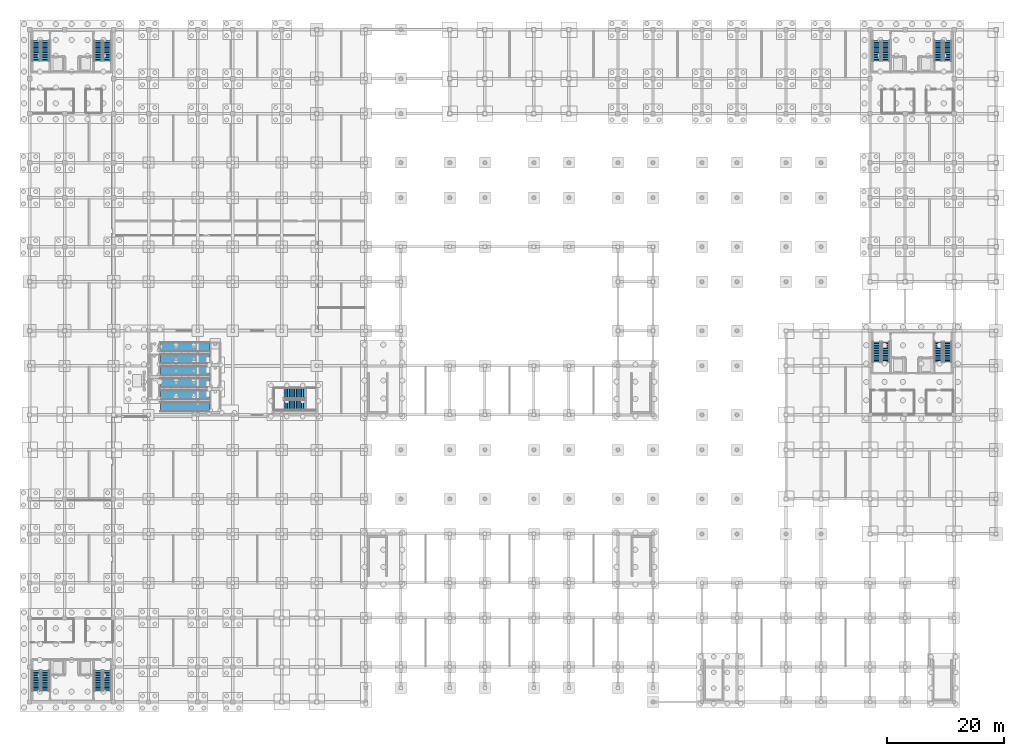
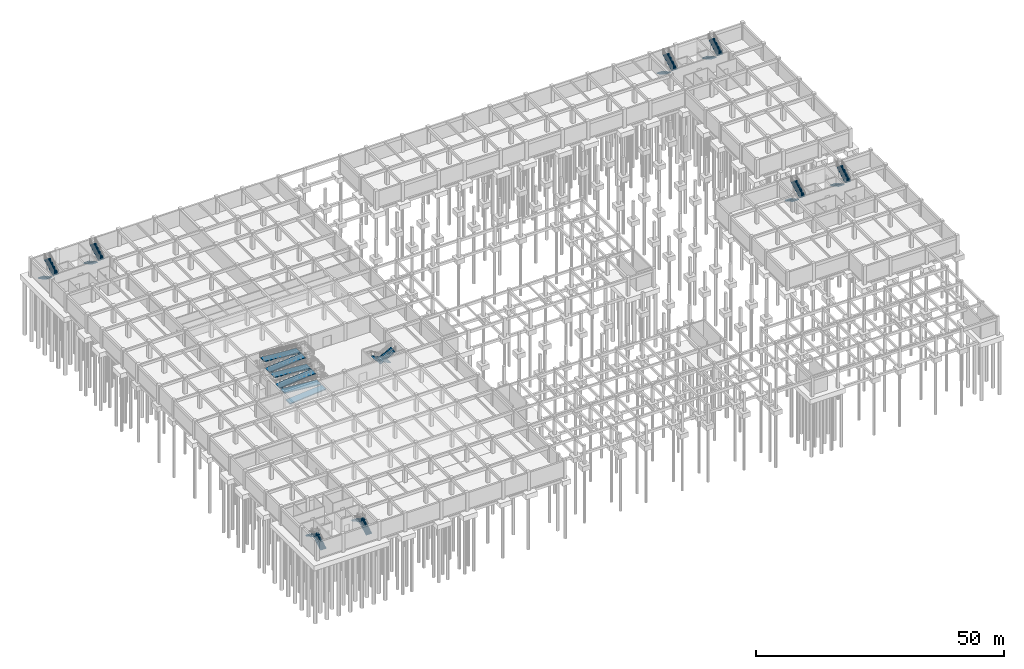
# One storey, part 32 of 40: 18 stair flights, 6 ramp flights, 10 elements without a shape of their own.
"""IFC4 building model written with IfcOpenShell, lengths in metres."""

import ifcopenshell
import ifcopenshell.guid

model = None  # the IFC model being written
_history = None  # IfcOwnerHistory: only IFC2X3 demands one
_inside = {}  # id of a spatial element -> (the spatial element, [elements in it])
_under = {}  # id of a project, library or spatial element -> (it, [spatial elements below it])
_declared = {}  # id of a project -> (the project, [libraries it declares])
_typed = {}  # id of a type object -> (the type object, [elements of that type])
_made_of = {}  # id of a material, layer set ... -> (it, [elements and type objects made of it])


def new_model(schema):
    """Start an empty IFC model of exactly this schema.

    Asked for "IFC4X3", IfcOpenShell would pick the latest addendum, in which some entities
    have other attributes; the version numbers below select the first issue.
    IFC2X3 requires an IfcOwnerHistory on every rooted entity: one is made here for all.
    """
    global model, _history
    if schema == "IFC4X3":
        model = ifcopenshell.file(schema_version=(4, 3, 0, 0))
    else:
        model = ifcopenshell.file(schema=schema)
    _inside.clear()
    _under.clear()
    _declared.clear()
    _typed.clear()
    _made_of.clear()
    _history = None
    if model.schema == "IFC2X3":
        org = make("IfcOrganization", Name="unknown")
        user = make(
            "IfcPersonAndOrganization",
            ThePerson=make("IfcPerson", FamilyName="unknown"),
            TheOrganization=org,
        )
        app = make(
            "IfcApplication",
            ApplicationDeveloper=org,
            Version="unknown",
            ApplicationFullName="unknown",
            ApplicationIdentifier="unknown",
        )
        _history = make(
            "IfcOwnerHistory",
            OwningUser=user,
            OwningApplication=app,
            ChangeAction="ADDED",
            CreationDate=0,
        )
    return model


def make(cls, **values):
    """One entity of the class cls with the attributes given. An attribute that is None is left unset."""
    return model.create_entity(
        cls, **{name: value for name, value in values.items() if value is not None}
    )


def rooted(cls, **values):
    """An entity with a GlobalId (a new one), such as an element, a storey or a relation."""
    return make(cls, GlobalId=ifcopenshell.guid.new(), OwnerHistory=_history, **values)


def si_unit(unit_type, name, prefix=None):
    """IfcSIUnit, for example si_unit("LENGTHUNIT", "METRE", prefix="MILLI")."""
    return make("IfcSIUnit", UnitType=unit_type, Prefix=prefix, Name=name)


def assignment(units):
    """IfcUnitAssignment: the units of a project."""
    return None if units is None else make("IfcUnitAssignment", Units=units)


def point(xyz):
    """IfcCartesianPoint."""
    return None if xyz is None else make("IfcCartesianPoint", Coordinates=xyz)


def direction(xyz):
    """IfcDirection."""
    return None if xyz is None else make("IfcDirection", DirectionRatios=xyz)


def frame(location, z_axis=None, x_axis=None):
    """IfcAxis2Placement3D, a coordinate frame: its origin and axes. An axis left out is left unset."""
    return make(
        "IfcAxis2Placement3D",
        Location=point(location),
        Axis=direction(z_axis),
        RefDirection=direction(x_axis),
    )


def origin():
    """The frame at (0, 0, 0) with its axes left unset."""
    return frame((0.0, 0.0, 0.0))


def place(relative_to, where):
    """IfcLocalPlacement: puts the frame where relative to a parent placement (None: the world)."""
    return make(
        "IfcLocalPlacement", PlacementRelTo=relative_to, RelativePlacement=where
    )


def context(
    kind, dimensions, precision=None, world=None, true_north=None, identifier=None
):
    """IfcGeometricRepresentationContext, for example the 3D "Model" context."""
    return make(
        "IfcGeometricRepresentationContext",
        ContextIdentifier=identifier,
        ContextType=kind,
        CoordinateSpaceDimension=dimensions,
        Precision=precision,
        WorldCoordinateSystem=world,
        TrueNorth=true_north,
    )


def subcontext(parent, identifier, kind, view, scale=None):
    """IfcGeometricRepresentationSubContext, for example "Body" below "Model"."""
    return make(
        "IfcGeometricRepresentationSubContext",
        ContextIdentifier=identifier,
        ContextType=kind,
        ParentContext=parent,
        TargetScale=scale,
        TargetView=view,
    )


def project(units=None, contexts=None):
    """IfcProject with its units and contexts."""
    return rooted(
        "IfcProject",
        Name="project",
        RepresentationContexts=contexts,
        UnitsInContext=assignment(units),
    )


def spatial(cls, under=None, at=None, **own):
    """A site, building, storey or space (cls), placed at a placement, below another one or the project."""
    s = rooted(cls, ObjectPlacement=at, **own)
    if under is not None:
        _under.setdefault(under.id(), (under, []))[1].append(s)
    return s


def polyline(points):
    """IfcPolyline through the points."""
    return make("IfcPolyline", Points=[point(p) for p in points])


def outline(outer, holes=None, kind="AREA"):
    """IfcArbitraryClosedProfileDef: a profile drawn as a closed curve; with holes, ...WithVoids."""
    if holes is None:
        return make("IfcArbitraryClosedProfileDef", ProfileType=kind, OuterCurve=outer)
    return make(
        "IfcArbitraryProfileDefWithVoids",
        ProfileType=kind,
        OuterCurve=outer,
        InnerCurves=holes,
    )


def extrude(swept, where, along, depth):
    """IfcExtrudedAreaSolid: the profile swept, set in the frame where, extruded along a direction by depth."""
    return make(
        "IfcExtrudedAreaSolid",
        SweptArea=swept,
        Position=where,
        ExtrudedDirection=direction(along),
        Depth=depth,
    )


def shape(context_of_items, identifier, shape_type, items):
    """IfcShapeRepresentation: the items that make up one representation, for example the "Body"."""
    return make(
        "IfcShapeRepresentation",
        ContextOfItems=context_of_items,
        RepresentationIdentifier=identifier,
        RepresentationType=shape_type,
        Items=items,
    )


def material(Name=None, Category=None):
    """IfcMaterial."""
    return make("IfcMaterial", Name=Name, Category=Category)


def layer(
    of_material, thickness, ventilated=None, Name=None, Category=None, Priority=None
):
    """IfcMaterialLayer: one layer of a wall or slab, of a material (None: an air gap)."""
    return make(
        "IfcMaterialLayer",
        Material=of_material,
        LayerThickness=thickness,
        IsVentilated=ventilated,
        Name=Name,
        Category=Category,
        Priority=Priority,
    )


def layer_set(layers, Name=None):
    """IfcMaterialLayerSet."""
    return make("IfcMaterialLayerSet", MaterialLayers=layers, LayerSetName=Name)


def made_of(thing, what):
    """Note that an element or type object is made of a material, layer set ...; save() writes the relation."""
    if what is not None:
        _made_of.setdefault(what.id(), (what, []))[1].append(thing)
    return thing


def type_object(cls, material=None, **own):
    """A type object (cls), such as IfcWallType, which elements share."""
    return made_of(rooted(cls, **own), material)


def element(
    cls,
    number,
    at=None,
    inside=None,
    cuts=None,
    type_object=None,
    material=None,
    context=None,
    identifier="Body",
    shape_type=None,
    held_by="IfcProductDefinitionShape",
    body=None,
    shapes=None,
    **own,
):
    """One element of the class cls, such as IfcWall. Its Tag is "e" and its number.

    at: its placement. inside: the storey or other place that contains it. cuts: it is an
    opening in that element (IfcRelVoidsElement). A single representation is given by context,
    identifier, shape_type and body (its items); several are given by shapes. held_by: the class
    of the entity that holds the representations. save() writes the other relations.
    """
    e = rooted(cls, Tag="e%d" % number, ObjectPlacement=at, **own)
    if body is not None:
        shapes = [shape(context, identifier, shape_type, body)]
    if shapes is not None:
        e.Representation = make(held_by, Representations=shapes)
    if inside is not None:
        _inside.setdefault(inside.id(), (inside, []))[1].append(e)
    if cuts is not None:
        rooted(
            "IfcRelVoidsElement", RelatingBuildingElement=cuts, RelatedOpeningElement=e
        )
    if type_object is not None:
        _typed.setdefault(type_object.id(), (type_object, []))[1].append(e)
    return made_of(e, material)


def aggregate(whole, parts):
    """IfcRelAggregates: a whole, such as a stair, and the parts it consists of."""
    return rooted("IfcRelAggregates", RelatingObject=whole, RelatedObjects=parts)


def save(model, path):
    """Write the relations noted so far, then the file.

    IfcRelAggregates (storeys below a building ...), IfcRelContainedInSpatialStructure (elements
    in a storey), IfcRelDefinesByType, IfcRelAssociatesMaterial and IfcRelDeclares: one each for
    every whole, place, type object, material and project.
    """
    for whole, parts in _under.values():
        aggregate(whole, parts)
    for where, things in _inside.values():
        rooted(
            "IfcRelContainedInSpatialStructure",
            RelatedElements=things,
            RelatingStructure=where,
        )
    for kind, things in _typed.values():
        rooted("IfcRelDefinesByType", RelatedObjects=things, RelatingType=kind)
    for what, things in _made_of.values():
        rooted("IfcRelAssociatesMaterial", RelatedObjects=things, RelatingMaterial=what)
    for by, libraries in _declared.values():
        rooted("IfcRelDeclares", RelatingContext=by, RelatedDefinitions=libraries)
    model.write(path)


model = new_model("IFC4")

# Units and contexts
model_context = context("Model", 3, precision=1e-05, world=origin(), true_north=direction((0.0, 1.0)))
body_context = subcontext(model_context, "Body", "Model", "MODEL_VIEW")
ifc_project = project(units=[si_unit("LENGTHUNIT", "METRE"), si_unit("AREAUNIT", "SQUARE_METRE"), si_unit("VOLUMEUNIT", "CUBIC_METRE"), si_unit("PLANEANGLEUNIT", "RADIAN"), si_unit("MASSUNIT", "GRAM", prefix="KILO"), si_unit("THERMODYNAMICTEMPERATUREUNIT", "KELVIN")], contexts=[model_context])

# Site, building, storey
site_placement = place(None, origin())
site = spatial("IfcSite", under=ifc_project, at=site_placement, CompositionType="ELEMENT")
building_placement = place(site_placement, origin())
building = spatial("IfcBuilding", under=site, at=building_placement, Name="Thalorik Housing Commons", CompositionType="ELEMENT")
storey_placement = place(building_placement, frame((0.0, 0.0, -4.199951171875)))
storey = spatial("IfcBuildingStorey", under=building, at=storey_placement, Name="B1", CompositionType="ELEMENT", Elevation=-4.199951171875)

# Stair, stair flights
ifc_material_1 = material(Name="Precast concrete C40/50", Category="concrete")
stair_type_1 = type_object("IfcStairType", Name="ARC-STR-1350-R26", PredefinedType="HALF_TURN_STAIR", material=ifc_material_1)
stair_1_placement = place(storey_placement, origin())
stair_1 = element("IfcStair", 1, at=stair_1_placement, inside=storey, type_object=stair_type_1, Name="B1 Block A Smoke-Proof Stair 1", PredefinedType="HALF_TURN_STAIR")
stair_flight_type_1 = type_object("IfcStairFlightType", Name="ARC-SFLT-1350-R13", PredefinedType="STRAIGHT", material=ifc_material_1)
stair_flight_1_placement = place(storey_placement, frame((9.52490234375, 121.699951171875, 0.0), z_axis=(0.0, 0.0, 1.0), x_axis=(0.0, -1.0, 0.0)))
stair_flight_1 = element("IfcStairFlight", 2, at=stair_flight_1_placement, type_object=stair_flight_type_1, Name="ST-A1 flight 1", NumberOfRisers=13, NumberOfTreads=12, PredefinedType="STRAIGHT", RiserHeight=0.161538462, TreadLength=0.29, context=body_context, shape_type="SweptSolid", body=[
    extrude(outline(polyline([(0.0, 0.0), (0.0, 0.16162109375), (0.2900390625, 0.16162109375), (0.2900390625, 0.322998046875), (0.580078125, 0.322998046875), (0.580078125, 0.484619140625), (0.8701171875, 0.484619140625), (0.8701171875, 0.646240234375), (1.159912109375, 0.646240234375), (1.159912109375, 0.8076171875), (1.449951171875, 0.8076171875), (1.449951171875, 0.96923828125), (1.739990234375, 0.96923828125), (1.739990234375, 1.130859375), (2.030029296875, 1.130859375), (2.030029296875, 1.292236328125), (2.320068359375, 1.292236328125), (2.320068359375, 1.453857421875), (2.610107421875, 1.453857421875), (2.610107421875, 1.615478515625), (2.89990234375, 1.615478515625), (2.89990234375, 1.77685546875), (3.18994140625, 1.77685546875), (3.18994140625, 1.9384765625), (3.47998046875, 1.9384765625), (3.47998046875, 2.10009765625), (3.47998046875, 1.75537109375), (0.32861328125, 0.0), (0.0, 0.0)])), frame((0.0, 0.675048828125, 0.0), z_axis=(0.0, -1.0, 0.0), x_axis=(1.0, 0.0, 0.0)), (0.0, 0.0, 1.0), 1.35009765625),
])
stair_flight_2_placement = place(storey_placement, frame((11.074951171875, 118.219970703125, 2.099853515625), z_axis=(0.0, 0.0, 1.0), x_axis=(0.0, 1.0, 0.0)))
stair_flight_2 = element("IfcStairFlight", 3, at=stair_flight_2_placement, type_object=stair_flight_type_1, Name="ST-A1 flight 2", NumberOfRisers=13, NumberOfTreads=12, PredefinedType="STRAIGHT", RiserHeight=0.161538462, TreadLength=0.29, context=body_context, shape_type="SweptSolid", body=[
    extrude(outline(polyline([(0.0, 0.0), (0.0, 0.16162109375), (0.2900390625, 0.16162109375), (0.2900390625, 0.322998046875), (0.580078125, 0.322998046875), (0.580078125, 0.484619140625), (0.8701171875, 0.484619140625), (0.8701171875, 0.646240234375), (1.159912109375, 0.646240234375), (1.159912109375, 0.8076171875), (1.449951171875, 0.8076171875), (1.449951171875, 0.96923828125), (1.739990234375, 0.96923828125), (1.739990234375, 1.130859375), (2.030029296875, 1.130859375), (2.030029296875, 1.292236328125), (2.320068359375, 1.292236328125), (2.320068359375, 1.453857421875), (2.610107421875, 1.453857421875), (2.610107421875, 1.615478515625), (2.89990234375, 1.615478515625), (2.89990234375, 1.77685546875), (3.18994140625, 1.77685546875), (3.18994140625, 1.9384765625), (3.47998046875, 1.9384765625), (3.47998046875, 2.10009765625), (3.47998046875, 1.75537109375), (0.32861328125, 0.0), (0.0, 0.0)])), frame((0.0, 0.675048828125, 0.0), z_axis=(0.0, -1.0, 0.0), x_axis=(1.0, 0.0, 0.0)), (0.0, 0.0, 1.0), 1.35009765625),
])
aggregate(stair_1, [stair_flight_1, stair_flight_2])

stair_2_placement = place(storey_placement, origin())
stair_2 = element("IfcStair", 4, at=stair_2_placement, inside=storey, type_object=stair_type_1, Name="B1 Block A Smoke-Proof Stair 2", PredefinedType="HALF_TURN_STAIR")
stair_flight_3_placement = place(storey_placement, frame((20.125, 121.699951171875, 0.0), z_axis=(0.0, 0.0, 1.0), x_axis=(0.0, -1.0, 0.0)))
stair_flight_3 = element("IfcStairFlight", 5, at=stair_flight_3_placement, type_object=stair_flight_type_1, Name="ST-A2 flight 1", NumberOfRisers=13, NumberOfTreads=12, PredefinedType="STRAIGHT", RiserHeight=0.161538462, TreadLength=0.29, context=body_context, shape_type="SweptSolid", body=[
    extrude(outline(polyline([(0.0, 0.0), (0.0, 0.16162109375), (0.2900390625, 0.16162109375), (0.2900390625, 0.322998046875), (0.580078125, 0.322998046875), (0.580078125, 0.484619140625), (0.8701171875, 0.484619140625), (0.8701171875, 0.646240234375), (1.159912109375, 0.646240234375), (1.159912109375, 0.8076171875), (1.449951171875, 0.8076171875), (1.449951171875, 0.96923828125), (1.739990234375, 0.96923828125), (1.739990234375, 1.130859375), (2.030029296875, 1.130859375), (2.030029296875, 1.292236328125), (2.320068359375, 1.292236328125), (2.320068359375, 1.453857421875), (2.610107421875, 1.453857421875), (2.610107421875, 1.615478515625), (2.89990234375, 1.615478515625), (2.89990234375, 1.77685546875), (3.18994140625, 1.77685546875), (3.18994140625, 1.9384765625), (3.47998046875, 1.9384765625), (3.47998046875, 2.10009765625), (3.47998046875, 1.75537109375), (0.32861328125, 0.0), (0.0, 0.0)])), frame((0.0, 0.675048828125, 0.0), z_axis=(0.0, -1.0, 0.0), x_axis=(1.0, 0.0, 0.0)), (0.0, 0.0, 1.0), 1.35009765625),
])
stair_flight_4_placement = place(storey_placement, frame((21.675048828125, 118.219970703125, 2.099853515625), z_axis=(0.0, 0.0, 1.0), x_axis=(0.0, 1.0, 0.0)))
stair_flight_4 = element("IfcStairFlight", 6, at=stair_flight_4_placement, type_object=stair_flight_type_1, Name="ST-A2 flight 2", NumberOfRisers=13, NumberOfTreads=12, PredefinedType="STRAIGHT", RiserHeight=0.161538462, TreadLength=0.29, context=body_context, shape_type="SweptSolid", body=[
    extrude(outline(polyline([(0.0, 0.0), (0.0, 0.16162109375), (0.2900390625, 0.16162109375), (0.2900390625, 0.322998046875), (0.580078125, 0.322998046875), (0.580078125, 0.484619140625), (0.8701171875, 0.484619140625), (0.8701171875, 0.646240234375), (1.159912109375, 0.646240234375), (1.159912109375, 0.8076171875), (1.449951171875, 0.8076171875), (1.449951171875, 0.96923828125), (1.739990234375, 0.96923828125), (1.739990234375, 1.130859375), (2.030029296875, 1.130859375), (2.030029296875, 1.292236328125), (2.320068359375, 1.292236328125), (2.320068359375, 1.453857421875), (2.610107421875, 1.453857421875), (2.610107421875, 1.615478515625), (2.89990234375, 1.615478515625), (2.89990234375, 1.77685546875), (3.18994140625, 1.77685546875), (3.18994140625, 1.9384765625), (3.47998046875, 1.9384765625), (3.47998046875, 2.10009765625), (3.47998046875, 1.75537109375), (0.32861328125, 0.0), (0.0, 0.0)])), frame((0.0, 0.675048828125, 0.0), z_axis=(0.0, -1.0, 0.0), x_axis=(1.0, 0.0, 0.0)), (0.0, 0.0, 1.0), 1.35009765625),
])
aggregate(stair_2, [stair_flight_3, stair_flight_4])

stair_3_placement = place(storey_placement, origin())
stair_3 = element("IfcStair", 7, at=stair_3_placement, inside=storey, type_object=stair_type_1, Name="B1 Block B Smoke-Proof Stair 1", PredefinedType="HALF_TURN_STAIR")
stair_flight_5_placement = place(storey_placement, frame((153.52490234375, 121.699951171875, 0.0), z_axis=(0.0, 0.0, 1.0), x_axis=(0.0, -1.0, 0.0)))
stair_flight_5 = element("IfcStairFlight", 8, at=stair_flight_5_placement, type_object=stair_flight_type_1, Name="ST-B1 flight 1", NumberOfRisers=13, NumberOfTreads=12, PredefinedType="STRAIGHT", RiserHeight=0.161538462, TreadLength=0.29, context=body_context, shape_type="SweptSolid", body=[
    extrude(outline(polyline([(0.0, 0.0), (0.0, 0.16162109375), (0.2900390625, 0.16162109375), (0.2900390625, 0.322998046875), (0.580078125, 0.322998046875), (0.580078125, 0.484619140625), (0.8701171875, 0.484619140625), (0.8701171875, 0.646240234375), (1.159912109375, 0.646240234375), (1.159912109375, 0.8076171875), (1.449951171875, 0.8076171875), (1.449951171875, 0.96923828125), (1.739990234375, 0.96923828125), (1.739990234375, 1.130859375), (2.030029296875, 1.130859375), (2.030029296875, 1.292236328125), (2.320068359375, 1.292236328125), (2.320068359375, 1.453857421875), (2.610107421875, 1.453857421875), (2.610107421875, 1.615478515625), (2.89990234375, 1.615478515625), (2.89990234375, 1.77685546875), (3.18994140625, 1.77685546875), (3.18994140625, 1.9384765625), (3.47998046875, 1.9384765625), (3.47998046875, 2.10009765625), (3.47998046875, 1.75537109375), (0.32861328125, 0.0), (0.0, 0.0)])), frame((0.0, 0.675048828125, 0.0), z_axis=(0.0, -1.0, 0.0), x_axis=(1.0, 0.0, 0.0)), (0.0, 0.0, 1.0), 1.35009765625),
])
stair_flight_6_placement = place(storey_placement, frame((155.074951171875, 118.219970703125, 2.099853515625), z_axis=(0.0, 0.0, 1.0), x_axis=(0.0, 1.0, 0.0)))
stair_flight_6 = element("IfcStairFlight", 9, at=stair_flight_6_placement, type_object=stair_flight_type_1, Name="ST-B1 flight 2", NumberOfRisers=13, NumberOfTreads=12, PredefinedType="STRAIGHT", RiserHeight=0.161538462, TreadLength=0.29, context=body_context, shape_type="SweptSolid", body=[
    extrude(outline(polyline([(0.0, 0.0), (0.0, 0.16162109375), (0.2900390625, 0.16162109375), (0.2900390625, 0.322998046875), (0.580078125, 0.322998046875), (0.580078125, 0.484619140625), (0.8701171875, 0.484619140625), (0.8701171875, 0.646240234375), (1.159912109375, 0.646240234375), (1.159912109375, 0.8076171875), (1.449951171875, 0.8076171875), (1.449951171875, 0.96923828125), (1.739990234375, 0.96923828125), (1.739990234375, 1.130859375), (2.030029296875, 1.130859375), (2.030029296875, 1.292236328125), (2.320068359375, 1.292236328125), (2.320068359375, 1.453857421875), (2.610107421875, 1.453857421875), (2.610107421875, 1.615478515625), (2.89990234375, 1.615478515625), (2.89990234375, 1.77685546875), (3.18994140625, 1.77685546875), (3.18994140625, 1.9384765625), (3.47998046875, 1.9384765625), (3.47998046875, 2.10009765625), (3.47998046875, 1.75537109375), (0.32861328125, 0.0), (0.0, 0.0)])), frame((0.0, 0.675048828125, 0.0), z_axis=(0.0, -1.0, 0.0), x_axis=(1.0, 0.0, 0.0)), (0.0, 0.0, 1.0), 1.35009765625),
])
aggregate(stair_3, [stair_flight_5, stair_flight_6])

stair_4_placement = place(storey_placement, origin())
stair_4 = element("IfcStair", 10, at=stair_4_placement, inside=storey, type_object=stair_type_1, Name="B1 Block B Smoke-Proof Stair 2", PredefinedType="HALF_TURN_STAIR")
stair_flight_7_placement = place(storey_placement, frame((164.125, 121.699951171875, 0.0), z_axis=(0.0, 0.0, 1.0), x_axis=(0.0, -1.0, 0.0)))
stair_flight_7 = element("IfcStairFlight", 11, at=stair_flight_7_placement, type_object=stair_flight_type_1, Name="ST-B2 flight 1", NumberOfRisers=13, NumberOfTreads=12, PredefinedType="STRAIGHT", RiserHeight=0.161538462, TreadLength=0.29, context=body_context, shape_type="SweptSolid", body=[
    extrude(outline(polyline([(0.0, 0.0), (0.0, 0.16162109375), (0.2900390625, 0.16162109375), (0.2900390625, 0.322998046875), (0.580078125, 0.322998046875), (0.580078125, 0.484619140625), (0.8701171875, 0.484619140625), (0.8701171875, 0.646240234375), (1.159912109375, 0.646240234375), (1.159912109375, 0.8076171875), (1.449951171875, 0.8076171875), (1.449951171875, 0.96923828125), (1.739990234375, 0.96923828125), (1.739990234375, 1.130859375), (2.030029296875, 1.130859375), (2.030029296875, 1.292236328125), (2.320068359375, 1.292236328125), (2.320068359375, 1.453857421875), (2.610107421875, 1.453857421875), (2.610107421875, 1.615478515625), (2.89990234375, 1.615478515625), (2.89990234375, 1.77685546875), (3.18994140625, 1.77685546875), (3.18994140625, 1.9384765625), (3.47998046875, 1.9384765625), (3.47998046875, 2.10009765625), (3.47998046875, 1.75537109375), (0.32861328125, 0.0), (0.0, 0.0)])), frame((0.0, 0.675048828125, 0.0), z_axis=(0.0, -1.0, 0.0), x_axis=(1.0, 0.0, 0.0)), (0.0, 0.0, 1.0), 1.35009765625),
])
stair_flight_8_placement = place(storey_placement, frame((165.675048828125, 118.219970703125, 2.099853515625), z_axis=(0.0, 0.0, 1.0), x_axis=(0.0, 1.0, 0.0)))
stair_flight_8 = element("IfcStairFlight", 12, at=stair_flight_8_placement, type_object=stair_flight_type_1, Name="ST-B2 flight 2", NumberOfRisers=13, NumberOfTreads=12, PredefinedType="STRAIGHT", RiserHeight=0.161538462, TreadLength=0.29, context=body_context, shape_type="SweptSolid", body=[
    extrude(outline(polyline([(0.0, 0.0), (0.0, 0.16162109375), (0.2900390625, 0.16162109375), (0.2900390625, 0.322998046875), (0.580078125, 0.322998046875), (0.580078125, 0.484619140625), (0.8701171875, 0.484619140625), (0.8701171875, 0.646240234375), (1.159912109375, 0.646240234375), (1.159912109375, 0.8076171875), (1.449951171875, 0.8076171875), (1.449951171875, 0.96923828125), (1.739990234375, 0.96923828125), (1.739990234375, 1.130859375), (2.030029296875, 1.130859375), (2.030029296875, 1.292236328125), (2.320068359375, 1.292236328125), (2.320068359375, 1.453857421875), (2.610107421875, 1.453857421875), (2.610107421875, 1.615478515625), (2.89990234375, 1.615478515625), (2.89990234375, 1.77685546875), (3.18994140625, 1.77685546875), (3.18994140625, 1.9384765625), (3.47998046875, 1.9384765625), (3.47998046875, 2.10009765625), (3.47998046875, 1.75537109375), (0.32861328125, 0.0), (0.0, 0.0)])), frame((0.0, 0.675048828125, 0.0), z_axis=(0.0, -1.0, 0.0), x_axis=(1.0, 0.0, 0.0)), (0.0, 0.0, 1.0), 1.35009765625),
])
aggregate(stair_4, [stair_flight_7, stair_flight_8])

stair_5_placement = place(storey_placement, origin())
stair_5 = element("IfcStair", 13, at=stair_5_placement, inside=storey, type_object=stair_type_1, Name="B1 Block C Smoke-Proof Stair 1", PredefinedType="HALF_TURN_STAIR")
stair_flight_9_placement = place(storey_placement, frame((11.074951171875, 10.300048828125, 0.0), z_axis=(0.0, 0.0, 1.0), x_axis=(0.0, 1.0, 0.0)))
stair_flight_9 = element("IfcStairFlight", 14, at=stair_flight_9_placement, type_object=stair_flight_type_1, Name="ST-C1 flight 1", NumberOfRisers=13, NumberOfTreads=12, PredefinedType="STRAIGHT", RiserHeight=0.161538462, TreadLength=0.29, context=body_context, shape_type="SweptSolid", body=[
    extrude(outline(polyline([(0.0, 0.0), (0.0, 0.16162109375), (0.2900390625, 0.16162109375), (0.2900390625, 0.322998046875), (0.580078125, 0.322998046875), (0.580078125, 0.484619140625), (0.8701171875, 0.484619140625), (0.8701171875, 0.646240234375), (1.159912109375, 0.646240234375), (1.159912109375, 0.8076171875), (1.449951171875, 0.8076171875), (1.449951171875, 0.96923828125), (1.739990234375, 0.96923828125), (1.739990234375, 1.130859375), (2.030029296875, 1.130859375), (2.030029296875, 1.292236328125), (2.320068359375, 1.292236328125), (2.320068359375, 1.453857421875), (2.610107421875, 1.453857421875), (2.610107421875, 1.615478515625), (2.89990234375, 1.615478515625), (2.89990234375, 1.77685546875), (3.18994140625, 1.77685546875), (3.18994140625, 1.9384765625), (3.47998046875, 1.9384765625), (3.47998046875, 2.10009765625), (3.47998046875, 1.75537109375), (0.32861328125, 0.0), (0.0, 0.0)])), frame((0.0, 0.675048828125, 0.0), z_axis=(0.0, -1.0, 0.0), x_axis=(1.0, 0.0, 0.0)), (0.0, 0.0, 1.0), 1.35009765625),
])
stair_flight_10_placement = place(storey_placement, frame((9.52490234375, 13.780029296875, 2.099853515625), z_axis=(0.0, 0.0, 1.0), x_axis=(0.0, -1.0, 0.0)))
stair_flight_10 = element("IfcStairFlight", 15, at=stair_flight_10_placement, type_object=stair_flight_type_1, Name="ST-C1 flight 2", NumberOfRisers=13, NumberOfTreads=12, PredefinedType="STRAIGHT", RiserHeight=0.161538462, TreadLength=0.29, context=body_context, shape_type="SweptSolid", body=[
    extrude(outline(polyline([(0.0, 0.0), (0.0, 0.16162109375), (0.2900390625, 0.16162109375), (0.2900390625, 0.322998046875), (0.580078125, 0.322998046875), (0.580078125, 0.484619140625), (0.8701171875, 0.484619140625), (0.8701171875, 0.646240234375), (1.159912109375, 0.646240234375), (1.159912109375, 0.8076171875), (1.449951171875, 0.8076171875), (1.449951171875, 0.96923828125), (1.739990234375, 0.96923828125), (1.739990234375, 1.130859375), (2.030029296875, 1.130859375), (2.030029296875, 1.292236328125), (2.320068359375, 1.292236328125), (2.320068359375, 1.453857421875), (2.610107421875, 1.453857421875), (2.610107421875, 1.615478515625), (2.89990234375, 1.615478515625), (2.89990234375, 1.77685546875), (3.18994140625, 1.77685546875), (3.18994140625, 1.9384765625), (3.47998046875, 1.9384765625), (3.47998046875, 2.10009765625), (3.47998046875, 1.75537109375), (0.32861328125, 0.0), (0.0, 0.0)])), frame((0.0, 0.675048828125, 0.0), z_axis=(0.0, -1.0, 0.0), x_axis=(1.0, 0.0, 0.0)), (0.0, 0.0, 1.0), 1.35009765625),
])
aggregate(stair_5, [stair_flight_9, stair_flight_10])

stair_6_placement = place(storey_placement, origin())
stair_6 = element("IfcStair", 16, at=stair_6_placement, inside=storey, type_object=stair_type_1, Name="B1 Block C Smoke-Proof Stair 2", PredefinedType="HALF_TURN_STAIR")
stair_flight_11_placement = place(storey_placement, frame((21.675048828125, 10.300048828125, 0.0), z_axis=(0.0, 0.0, 1.0), x_axis=(0.0, 1.0, 0.0)))
stair_flight_11 = element("IfcStairFlight", 17, at=stair_flight_11_placement, type_object=stair_flight_type_1, Name="ST-C2 flight 1", NumberOfRisers=13, NumberOfTreads=12, PredefinedType="STRAIGHT", RiserHeight=0.161538462, TreadLength=0.29, context=body_context, shape_type="SweptSolid", body=[
    extrude(outline(polyline([(0.0, 0.0), (0.0, 0.16162109375), (0.2900390625, 0.16162109375), (0.2900390625, 0.322998046875), (0.580078125, 0.322998046875), (0.580078125, 0.484619140625), (0.8701171875, 0.484619140625), (0.8701171875, 0.646240234375), (1.159912109375, 0.646240234375), (1.159912109375, 0.8076171875), (1.449951171875, 0.8076171875), (1.449951171875, 0.96923828125), (1.739990234375, 0.96923828125), (1.739990234375, 1.130859375), (2.030029296875, 1.130859375), (2.030029296875, 1.292236328125), (2.320068359375, 1.292236328125), (2.320068359375, 1.453857421875), (2.610107421875, 1.453857421875), (2.610107421875, 1.615478515625), (2.89990234375, 1.615478515625), (2.89990234375, 1.77685546875), (3.18994140625, 1.77685546875), (3.18994140625, 1.9384765625), (3.47998046875, 1.9384765625), (3.47998046875, 2.10009765625), (3.47998046875, 1.75537109375), (0.32861328125, 0.0), (0.0, 0.0)])), frame((0.0, 0.675048828125, 0.0), z_axis=(0.0, -1.0, 0.0), x_axis=(1.0, 0.0, 0.0)), (0.0, 0.0, 1.0), 1.35009765625),
])
stair_flight_12_placement = place(storey_placement, frame((20.125, 13.780029296875, 2.099853515625), z_axis=(0.0, 0.0, 1.0), x_axis=(0.0, -1.0, 0.0)))
stair_flight_12 = element("IfcStairFlight", 18, at=stair_flight_12_placement, type_object=stair_flight_type_1, Name="ST-C2 flight 2", NumberOfRisers=13, NumberOfTreads=12, PredefinedType="STRAIGHT", RiserHeight=0.161538462, TreadLength=0.29, context=body_context, shape_type="SweptSolid", body=[
    extrude(outline(polyline([(0.0, 0.0), (0.0, 0.16162109375), (0.2900390625, 0.16162109375), (0.2900390625, 0.322998046875), (0.580078125, 0.322998046875), (0.580078125, 0.484619140625), (0.8701171875, 0.484619140625), (0.8701171875, 0.646240234375), (1.159912109375, 0.646240234375), (1.159912109375, 0.8076171875), (1.449951171875, 0.8076171875), (1.449951171875, 0.96923828125), (1.739990234375, 0.96923828125), (1.739990234375, 1.130859375), (2.030029296875, 1.130859375), (2.030029296875, 1.292236328125), (2.320068359375, 1.292236328125), (2.320068359375, 1.453857421875), (2.610107421875, 1.453857421875), (2.610107421875, 1.615478515625), (2.89990234375, 1.615478515625), (2.89990234375, 1.77685546875), (3.18994140625, 1.77685546875), (3.18994140625, 1.9384765625), (3.47998046875, 1.9384765625), (3.47998046875, 2.10009765625), (3.47998046875, 1.75537109375), (0.32861328125, 0.0), (0.0, 0.0)])), frame((0.0, 0.675048828125, 0.0), z_axis=(0.0, -1.0, 0.0), x_axis=(1.0, 0.0, 0.0)), (0.0, 0.0, 1.0), 1.35009765625),
])
aggregate(stair_6, [stair_flight_11, stair_flight_12])

stair_7_placement = place(storey_placement, origin())
stair_7 = element("IfcStair", 19, at=stair_7_placement, inside=storey, type_object=stair_type_1, Name="B1 Block D Smoke-Proof Stair 1", PredefinedType="HALF_TURN_STAIR")
stair_flight_13_placement = place(storey_placement, frame((153.52490234375, 70.10009765625, 0.0), z_axis=(0.0, 0.0, 1.0), x_axis=(0.0, -1.0, 0.0)))
stair_flight_13 = element("IfcStairFlight", 20, at=stair_flight_13_placement, type_object=stair_flight_type_1, Name="ST-D1 flight 1", NumberOfRisers=13, NumberOfTreads=12, PredefinedType="STRAIGHT", RiserHeight=0.161538462, TreadLength=0.29, context=body_context, shape_type="SweptSolid", body=[
    extrude(outline(polyline([(0.0, 0.0), (0.0, 0.16162109375), (0.2900390625, 0.16162109375), (0.2900390625, 0.322998046875), (0.580078125, 0.322998046875), (0.580078125, 0.484619140625), (0.8701171875, 0.484619140625), (0.8701171875, 0.646240234375), (1.159912109375, 0.646240234375), (1.159912109375, 0.8076171875), (1.449951171875, 0.8076171875), (1.449951171875, 0.96923828125), (1.739990234375, 0.96923828125), (1.739990234375, 1.130859375), (2.030029296875, 1.130859375), (2.030029296875, 1.292236328125), (2.320068359375, 1.292236328125), (2.320068359375, 1.453857421875), (2.610107421875, 1.453857421875), (2.610107421875, 1.615478515625), (2.89990234375, 1.615478515625), (2.89990234375, 1.77685546875), (3.18994140625, 1.77685546875), (3.18994140625, 1.9384765625), (3.47998046875, 1.9384765625), (3.47998046875, 2.10009765625), (3.47998046875, 1.75537109375), (0.32861328125, 0.0), (0.0, 0.0)])), frame((0.0, 0.675048828125, 0.0), z_axis=(0.0, -1.0, 0.0), x_axis=(1.0, 0.0, 0.0)), (0.0, 0.0, 1.0), 1.35009765625),
])
stair_flight_14_placement = place(storey_placement, frame((155.074951171875, 66.6201171875, 2.099853515625), z_axis=(0.0, 0.0, 1.0), x_axis=(0.0, 1.0, 0.0)))
stair_flight_14 = element("IfcStairFlight", 21, at=stair_flight_14_placement, type_object=stair_flight_type_1, Name="ST-D1 flight 2", NumberOfRisers=13, NumberOfTreads=12, PredefinedType="STRAIGHT", RiserHeight=0.161538462, TreadLength=0.29, context=body_context, shape_type="SweptSolid", body=[
    extrude(outline(polyline([(0.0, 0.0), (0.0, 0.16162109375), (0.2900390625, 0.16162109375), (0.2900390625, 0.322998046875), (0.580078125, 0.322998046875), (0.580078125, 0.484619140625), (0.8701171875, 0.484619140625), (0.8701171875, 0.646240234375), (1.159912109375, 0.646240234375), (1.159912109375, 0.8076171875), (1.449951171875, 0.8076171875), (1.449951171875, 0.96923828125), (1.739990234375, 0.96923828125), (1.739990234375, 1.130859375), (2.030029296875, 1.130859375), (2.030029296875, 1.292236328125), (2.320068359375, 1.292236328125), (2.320068359375, 1.453857421875), (2.610107421875, 1.453857421875), (2.610107421875, 1.615478515625), (2.89990234375, 1.615478515625), (2.89990234375, 1.77685546875), (3.18994140625, 1.77685546875), (3.18994140625, 1.9384765625), (3.47998046875, 1.9384765625), (3.47998046875, 2.10009765625), (3.47998046875, 1.75537109375), (0.32861328125, 0.0), (0.0, 0.0)])), frame((0.0, 0.675048828125, 0.0), z_axis=(0.0, -1.0, 0.0), x_axis=(1.0, 0.0, 0.0)), (0.0, 0.0, 1.0), 1.35009765625),
])
aggregate(stair_7, [stair_flight_13, stair_flight_14])

stair_8_placement = place(storey_placement, origin())
stair_8 = element("IfcStair", 22, at=stair_8_placement, inside=storey, type_object=stair_type_1, Name="B1 Block D Smoke-Proof Stair 2", PredefinedType="HALF_TURN_STAIR")
stair_flight_15_placement = place(storey_placement, frame((164.125, 70.10009765625, 0.0), z_axis=(0.0, 0.0, 1.0), x_axis=(0.0, -1.0, 0.0)))
stair_flight_15 = element("IfcStairFlight", 23, at=stair_flight_15_placement, type_object=stair_flight_type_1, Name="ST-D2 flight 1", NumberOfRisers=13, NumberOfTreads=12, PredefinedType="STRAIGHT", RiserHeight=0.161538462, TreadLength=0.29, context=body_context, shape_type="SweptSolid", body=[
    extrude(outline(polyline([(0.0, 0.0), (0.0, 0.16162109375), (0.2900390625, 0.16162109375), (0.2900390625, 0.322998046875), (0.580078125, 0.322998046875), (0.580078125, 0.484619140625), (0.8701171875, 0.484619140625), (0.8701171875, 0.646240234375), (1.159912109375, 0.646240234375), (1.159912109375, 0.8076171875), (1.449951171875, 0.8076171875), (1.449951171875, 0.96923828125), (1.739990234375, 0.96923828125), (1.739990234375, 1.130859375), (2.030029296875, 1.130859375), (2.030029296875, 1.292236328125), (2.320068359375, 1.292236328125), (2.320068359375, 1.453857421875), (2.610107421875, 1.453857421875), (2.610107421875, 1.615478515625), (2.89990234375, 1.615478515625), (2.89990234375, 1.77685546875), (3.18994140625, 1.77685546875), (3.18994140625, 1.9384765625), (3.47998046875, 1.9384765625), (3.47998046875, 2.10009765625), (3.47998046875, 1.75537109375), (0.32861328125, 0.0), (0.0, 0.0)])), frame((0.0, 0.675048828125, 0.0), z_axis=(0.0, -1.0, 0.0), x_axis=(1.0, 0.0, 0.0)), (0.0, 0.0, 1.0), 1.35009765625),
])
stair_flight_16_placement = place(storey_placement, frame((165.675048828125, 66.6201171875, 2.099853515625), z_axis=(0.0, 0.0, 1.0), x_axis=(0.0, 1.0, 0.0)))
stair_flight_16 = element("IfcStairFlight", 24, at=stair_flight_16_placement, type_object=stair_flight_type_1, Name="ST-D2 flight 2", NumberOfRisers=13, NumberOfTreads=12, PredefinedType="STRAIGHT", RiserHeight=0.161538462, TreadLength=0.29, context=body_context, shape_type="SweptSolid", body=[
    extrude(outline(polyline([(0.0, 0.0), (0.0, 0.16162109375), (0.2900390625, 0.16162109375), (0.2900390625, 0.322998046875), (0.580078125, 0.322998046875), (0.580078125, 0.484619140625), (0.8701171875, 0.484619140625), (0.8701171875, 0.646240234375), (1.159912109375, 0.646240234375), (1.159912109375, 0.8076171875), (1.449951171875, 0.8076171875), (1.449951171875, 0.96923828125), (1.739990234375, 0.96923828125), (1.739990234375, 1.130859375), (2.030029296875, 1.130859375), (2.030029296875, 1.292236328125), (2.320068359375, 1.292236328125), (2.320068359375, 1.453857421875), (2.610107421875, 1.453857421875), (2.610107421875, 1.615478515625), (2.89990234375, 1.615478515625), (2.89990234375, 1.77685546875), (3.18994140625, 1.77685546875), (3.18994140625, 1.9384765625), (3.47998046875, 1.9384765625), (3.47998046875, 2.10009765625), (3.47998046875, 1.75537109375), (0.32861328125, 0.0), (0.0, 0.0)])), frame((0.0, 0.675048828125, 0.0), z_axis=(0.0, -1.0, 0.0), x_axis=(1.0, 0.0, 0.0)), (0.0, 0.0, 1.0), 1.35009765625),
])
aggregate(stair_8, [stair_flight_15, stair_flight_16])

stair_type_2 = type_object("IfcStairType", Name="ARC-STR-1800-R26", PredefinedType="HALF_TURN_STAIR", material=ifc_material_1)
stair_9_placement = place(storey_placement, origin())
stair_9 = element("IfcStair", 25, at=stair_9_placement, inside=storey, type_object=stair_type_2, Name="B1 Metro Forecourt Feature Stair", PredefinedType="STRAIGHT_RUN_STAIR")
stair_flight_type_2 = type_object("IfcStairFlightType", Name="ARC-SFLT-1800-R13", PredefinedType="STRAIGHT", material=ifc_material_1)
stair_flight_17_placement = place(storey_placement, frame((55.60009765625, 61.300048828125, 0.0), z_axis=(0.0, 0.0, 1.0), x_axis=(-1.0, 0.0, 0.0)))
stair_flight_17 = element("IfcStairFlight", 26, at=stair_flight_17_placement, type_object=stair_flight_type_2, Name="ST-M1 flight 1", NumberOfRisers=13, NumberOfTreads=12, PredefinedType="STRAIGHT", RiserHeight=0.161538462, TreadLength=0.3, context=body_context, shape_type="SweptSolid", body=[
    extrude(outline(polyline([(0.0, 0.0), (0.0, 0.16162109375), (0.300048828125, 0.16162109375), (0.300048828125, 0.322998046875), (0.60009765625, 0.322998046875), (0.60009765625, 0.484619140625), (0.89990234375, 0.484619140625), (0.89990234375, 0.646240234375), (1.199951171875, 0.646240234375), (1.199951171875, 0.8076171875), (1.5, 0.8076171875), (1.5, 0.96923828125), (1.800048828125, 0.96923828125), (1.800048828125, 1.130859375), (2.10009765625, 1.130859375), (2.10009765625, 1.292236328125), (2.39990234375, 1.292236328125), (2.39990234375, 1.453857421875), (2.699951171875, 1.453857421875), (2.699951171875, 1.615478515625), (3.0, 1.615478515625), (3.0, 1.77685546875), (3.300048828125, 1.77685546875), (3.300048828125, 1.9384765625), (3.60009765625, 1.9384765625), (3.60009765625, 2.10009765625), (3.60009765625, 1.768310546875), (0.316162109375, 0.0), (0.0, 0.0)])), frame((0.0, 0.89990234375, 0.0), z_axis=(0.0, -1.0, 0.0), x_axis=(1.0, 0.0, 0.0)), (0.0, 0.0, 1.0), 1.800048828125),
])
stair_flight_18_placement = place(storey_placement, frame((52.0, 59.300048828125, 2.099853515625), z_axis=(0.0, 0.0, 1.0), x_axis=(1.0, 0.0, 0.0)))
stair_flight_18 = element("IfcStairFlight", 27, at=stair_flight_18_placement, type_object=stair_flight_type_2, Name="ST-M1 flight 2", NumberOfRisers=13, NumberOfTreads=12, PredefinedType="STRAIGHT", RiserHeight=0.161538462, TreadLength=0.3, context=body_context, shape_type="SweptSolid", body=[
    extrude(outline(polyline([(0.0, 0.0), (0.0, 0.16162109375), (0.300048828125, 0.16162109375), (0.300048828125, 0.322998046875), (0.60009765625, 0.322998046875), (0.60009765625, 0.484619140625), (0.89990234375, 0.484619140625), (0.89990234375, 0.646240234375), (1.199951171875, 0.646240234375), (1.199951171875, 0.8076171875), (1.5, 0.8076171875), (1.5, 0.96923828125), (1.800048828125, 0.96923828125), (1.800048828125, 1.130859375), (2.10009765625, 1.130859375), (2.10009765625, 1.292236328125), (2.39990234375, 1.292236328125), (2.39990234375, 1.453857421875), (2.699951171875, 1.453857421875), (2.699951171875, 1.615478515625), (3.0, 1.615478515625), (3.0, 1.77685546875), (3.300048828125, 1.77685546875), (3.300048828125, 1.9384765625), (3.60009765625, 1.9384765625), (3.60009765625, 2.10009765625), (3.60009765625, 1.768310546875), (0.316162109375, 0.0), (0.0, 0.0)])), frame((0.0, 0.89990234375, 0.0), z_axis=(0.0, -1.0, 0.0), x_axis=(1.0, 0.0, 0.0)), (0.0, 0.0, 1.0), 1.800048828125),
])
aggregate(stair_9, [stair_flight_17, stair_flight_18])

# Ramp, ramp flights
ifc_material_2 = material(Name="Concrete C40/50", Category="concrete")
ramp_type = type_object("IfcRampType", Name="ARC-RMP-METRO", PredefinedType="HALF_TURN_RAMP", material=ifc_material_2)
ramp_placement = place(storey_placement, origin())
ramp = element("IfcRamp", 28, at=ramp_placement, inside=storey, type_object=ramp_type, Name="B1 to L00 Sunken Metro Forecourt Accessible Ramp", PredefinedType="HALF_TURN_RAMP")
ifc_layer = layer(ifc_material_2, 0.219970703125, Name="Concrete C40/50", Category="concrete")
ifc_layer_set = layer_set([ifc_layer], Name="Concrete C40/50")
ramp_flight_type = type_object("IfcRampFlightType", Name="ARC-RMPFLT-170", PredefinedType="STRAIGHT", material=ifc_layer_set)
ramp_flight_1_placement = place(storey_placement, frame((30.800048828125, 58.949951171875, 0.0), z_axis=(0.0, 0.0, 1.0), x_axis=(1.0, 0.0, 0.0)))
ramp_flight_1 = element("IfcRampFlight", 29, at=ramp_flight_1_placement, type_object=ramp_flight_type, Name="Metro Ramp Flight 1", PredefinedType="STRAIGHT", context=body_context, shape_type="SweptSolid", body=[
    extrude(outline(polyline([(0.0, 0.0), (0.0, -0.219970703125), (8.39990234375, 0.47998046875), (8.39990234375, 0.699951171875), (0.0, 0.0)])), frame((0.0, 0.85009765625, 0.0), z_axis=(0.0, -1.0, 0.0), x_axis=(1.0, 0.0, 0.0)), (0.0, 0.0, 1.0), 1.699951171875),
])
ramp_flight_2_placement = place(storey_placement, frame((39.199951171875, 61.0, 0.699951171875), z_axis=(0.0, 0.0, 1.0), x_axis=(-1.0, 0.0, 0.0)))
ramp_flight_2 = element("IfcRampFlight", 30, at=ramp_flight_2_placement, type_object=ramp_flight_type, Name="Metro Ramp Flight 2", PredefinedType="STRAIGHT", context=body_context, shape_type="SweptSolid", body=[
    extrude(outline(polyline([(0.0, 0.0), (0.0, -0.219970703125), (8.39990234375, 0.47998046875), (8.39990234375, 0.699951171875), (0.0, 0.0)])), frame((0.0, 0.85009765625, 0.0), z_axis=(0.0, -1.0, 0.0), x_axis=(1.0, 0.0, 0.0)), (0.0, 0.0, 1.0), 1.699951171875),
])
ramp_flight_3_placement = place(storey_placement, frame((30.800048828125, 63.050048828125, 1.39990234375), z_axis=(0.0, 0.0, 1.0), x_axis=(1.0, 0.0, 0.0)))
ramp_flight_3 = element("IfcRampFlight", 31, at=ramp_flight_3_placement, type_object=ramp_flight_type, Name="Metro Ramp Flight 3", PredefinedType="STRAIGHT", context=body_context, shape_type="SweptSolid", body=[
    extrude(outline(polyline([(0.0, 0.0), (0.0, -0.219970703125), (8.39990234375, 0.47998046875), (8.39990234375, 0.699951171875), (0.0, 0.0)])), frame((0.0, 0.85009765625, 0.0), z_axis=(0.0, -1.0, 0.0), x_axis=(1.0, 0.0, 0.0)), (0.0, 0.0, 1.0), 1.699951171875),
])
ramp_flight_4_placement = place(storey_placement, frame((39.199951171875, 65.10009765625, 2.099853515625), z_axis=(0.0, 0.0, 1.0), x_axis=(-1.0, 0.0, 0.0)))
ramp_flight_4 = element("IfcRampFlight", 32, at=ramp_flight_4_placement, type_object=ramp_flight_type, Name="Metro Ramp Flight 4", PredefinedType="STRAIGHT", context=body_context, shape_type="SweptSolid", body=[
    extrude(outline(polyline([(0.0, 0.0), (0.0, -0.219970703125), (8.39990234375, 0.47998046875), (8.39990234375, 0.699951171875), (0.0, 0.0)])), frame((0.0, 0.85009765625, 0.0), z_axis=(0.0, -1.0, 0.0), x_axis=(1.0, 0.0, 0.0)), (0.0, 0.0, 1.0), 1.699951171875),
])
ramp_flight_5_placement = place(storey_placement, frame((30.800048828125, 67.14990234375, 2.800048828125), z_axis=(0.0, 0.0, 1.0), x_axis=(1.0, 0.0, 0.0)))
ramp_flight_5 = element("IfcRampFlight", 33, at=ramp_flight_5_placement, type_object=ramp_flight_type, Name="Metro Ramp Flight 5", PredefinedType="STRAIGHT", context=body_context, shape_type="SweptSolid", body=[
    extrude(outline(polyline([(0.0, 0.0), (0.0, -0.219970703125), (8.39990234375, 0.47998046875), (8.39990234375, 0.699951171875), (0.0, 0.0)])), frame((0.0, 0.85009765625, 0.0), z_axis=(0.0, -1.0, 0.0), x_axis=(1.0, 0.0, 0.0)), (0.0, 0.0, 1.0), 1.699951171875),
])
ramp_flight_6_placement = place(storey_placement, frame((39.199951171875, 69.199951171875, 3.5), z_axis=(0.0, 0.0, 1.0), x_axis=(-1.0, 0.0, 0.0)))
ramp_flight_6 = element("IfcRampFlight", 34, at=ramp_flight_6_placement, type_object=ramp_flight_type, Name="Metro Ramp Flight 6", PredefinedType="STRAIGHT", context=body_context, shape_type="SweptSolid", body=[
    extrude(outline(polyline([(0.0, 0.0), (0.0, -0.219970703125), (8.39990234375, 0.47998046875), (8.39990234375, 0.699951171875), (0.0, 0.0)])), frame((0.0, 0.85009765625, 0.0), z_axis=(0.0, -1.0, 0.0), x_axis=(1.0, 0.0, 0.0)), (0.0, 0.0, 1.0), 1.699951171875),
])
aggregate(ramp, [ramp_flight_1, ramp_flight_2, ramp_flight_3, ramp_flight_4, ramp_flight_5, ramp_flight_6])

save(model, "model.ifc")
